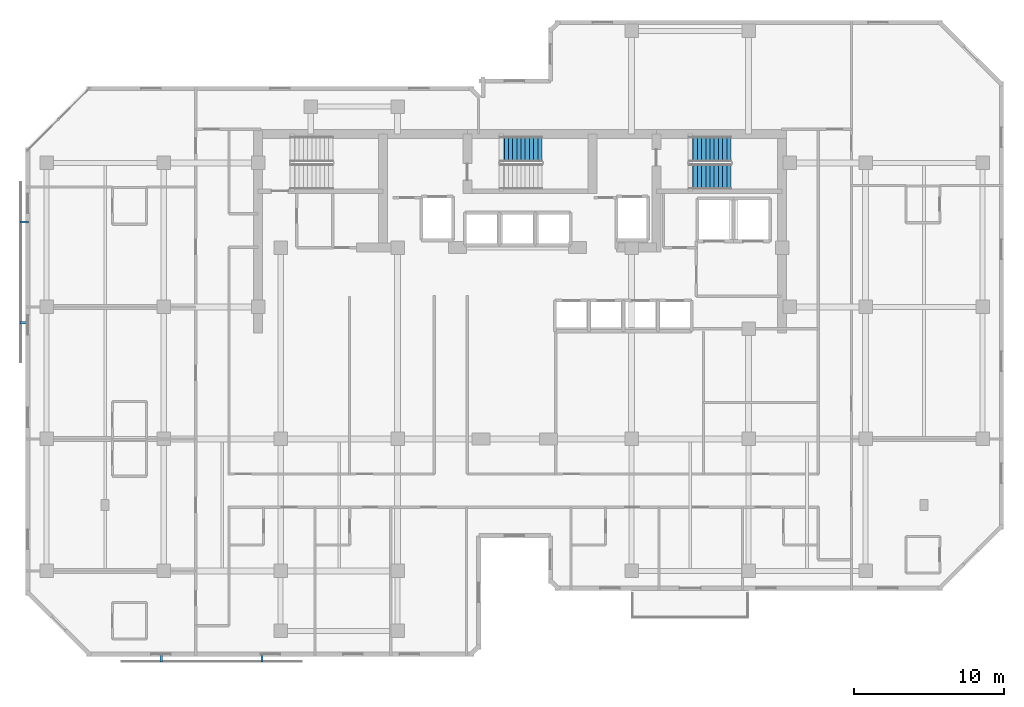
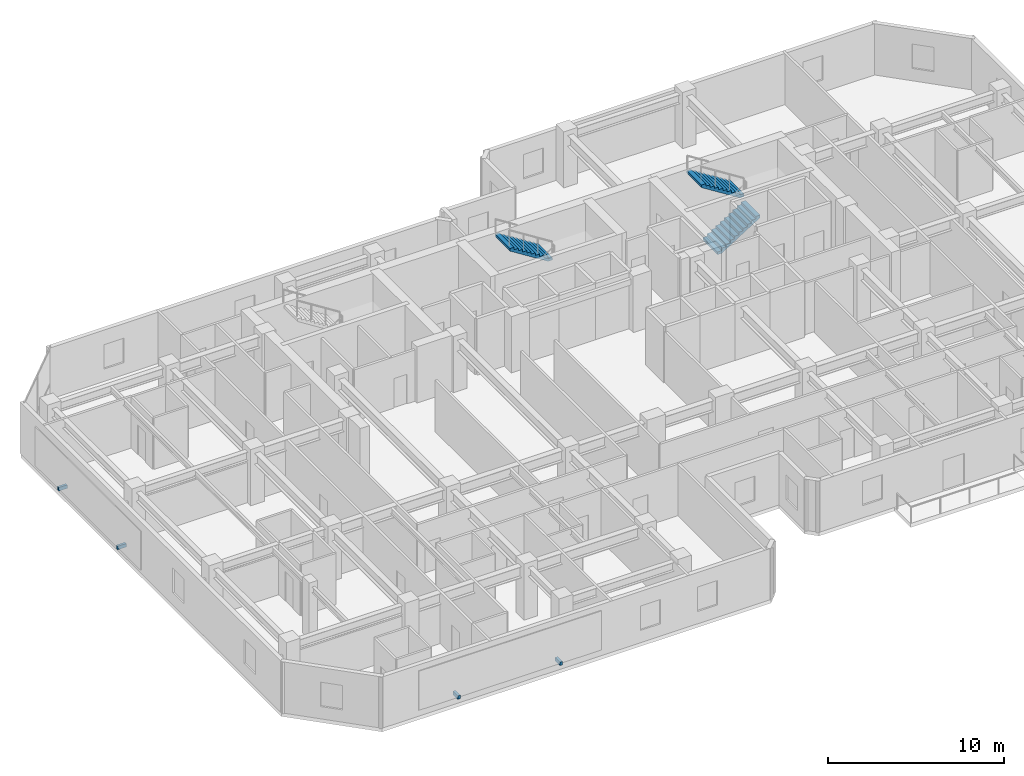
# One storey, part 9 of 11: 4 discrete accessories, 3 stair flights, 2 elements without a shape of their own.
"""IFC4 building model written with IfcOpenShell, lengths in metres."""

from ifc_helpers import new_model, si_unit, direction, frame, origin, origin_2d, place, context, subcontext, project, spatial, polyline, rectangle, outline, extrude, material, type_object, element, aggregate, save


model = new_model("IFC4")

# Units and contexts
model_context = context("Model", 3, precision=1e-05, world=origin(), true_north=direction((0.0, 1.0)))
body_context = subcontext(model_context, "Body", "Model", "MODEL_VIEW")
ifc_project = project(units=[si_unit("LENGTHUNIT", "METRE"), si_unit("AREAUNIT", "SQUARE_METRE"), si_unit("VOLUMEUNIT", "CUBIC_METRE"), si_unit("PLANEANGLEUNIT", "RADIAN"), si_unit("MASSUNIT", "GRAM", prefix="KILO")], contexts=[model_context])

# Site, building, storey
site_placement = place(None, origin())
site = spatial("IfcSite", under=ifc_project, at=site_placement, CompositionType="ELEMENT")
building_placement = place(site_placement, origin())
building = spatial("IfcBuilding", under=site, at=building_placement, Name="Kestravale Grand Hotel", CompositionType="ELEMENT")
storey_placement = place(building_placement, frame((0.0, 0.0, 228.0)))
storey = spatial("IfcBuildingStorey", under=building, at=storey_placement, Name="L57", CompositionType="ELEMENT", Elevation=228.0)

# Stair, stair flight
ifc_material_1 = material(Name="Concrete f'c 45 MPa", Category="concrete")
stair_type = type_object("IfcStairType", Name="ST-CORE-390", PredefinedType="HALF_TURN_STAIR", material=ifc_material_1)
stair_1_placement = place(storey_placement, origin())
stair_1 = element("IfcStair", 1, at=stair_1_placement, inside=storey, type_object=stair_type, Name="L57 ST-2", PredefinedType="HALF_TURN_STAIR")
ifc_material_2 = material(Name="Concrete f'c 45 MPa", Category="concrete")
stair_flight_type = type_object("IfcStairFlightType", Name="STF-CORE-390", PredefinedType="STRAIGHT", material=ifc_material_2)
stair_flight_1_placement = place(storey_placement, frame((40.830078125, 39.320068359375, 1.949951171875), z_axis=(0.0, 0.0, 1.0), x_axis=(-1.0, 0.0, 0.0)))
stair_flight_1 = element("IfcStairFlight", 2, at=stair_flight_1_placement, type_object=stair_flight_type, Name="ST-2 flight 2", NumberOfRisers=11, NumberOfTreads=10, PredefinedType="STRAIGHT", RiserHeight=0.177272727, TreadLength=0.28, context=body_context, shape_type="SweptSolid", body=[
    extrude(outline(polyline([(0.0, 0.0), (0.0, 0.17724609375), (0.280029296875, 0.17724609375), (0.280029296875, 0.3544921875), (0.56005859375, 0.3544921875), (0.56005859375, 0.53173828125), (0.840087890625, 0.53173828125), (0.840087890625, 0.708984375), (1.1201171875, 0.708984375), (1.1201171875, 0.886474609375), (1.39990234375, 0.886474609375), (1.39990234375, 1.063720703125), (1.679931640625, 1.063720703125), (1.679931640625, 1.240966796875), (1.9599609375, 1.240966796875), (1.9599609375, 1.418212890625), (2.239990234375, 1.418212890625), (2.239990234375, 1.595458984375), (2.52001953125, 1.595458984375), (2.52001953125, 1.772705078125), (2.800048828125, 1.772705078125), (2.800048828125, 1.949951171875), (2.800048828125, 1.59521484375), (0.2802734375, 0.0), (0.0, 0.0)])), frame((0.0, 0.83984375, 0.0), z_axis=(0.0, -1.0, 0.0), x_axis=(1.0, 0.0, 0.0)), (0.0, 0.0, 1.0), 1.679931640625),
])
aggregate(stair_1, [stair_flight_1])

# Stair, stair flights
stair_2_placement = place(storey_placement, origin())
stair_2 = element("IfcStair", 3, at=stair_2_placement, inside=storey, type_object=stair_type, Name="L57 ST-3", PredefinedType="HALF_TURN_STAIR")
stair_flight_2_placement = place(storey_placement, frame((50.6298828125, 37.489990234375, 0.0), z_axis=(0.0, 0.0, 1.0), x_axis=(1.0, 0.0, 0.0)))
stair_flight_2 = element("IfcStairFlight", 4, at=stair_flight_2_placement, type_object=stair_flight_type, Name="ST-3 flight 1", NumberOfRisers=11, NumberOfTreads=10, PredefinedType="STRAIGHT", RiserHeight=0.177272727, TreadLength=0.28, context=body_context, shape_type="SweptSolid", body=[
    extrude(outline(polyline([(0.0, 0.0), (0.0, 0.17724609375), (0.280029296875, 0.17724609375), (0.280029296875, 0.3544921875), (0.56005859375, 0.3544921875), (0.56005859375, 0.53173828125), (0.840087890625, 0.53173828125), (0.840087890625, 0.708984375), (1.1201171875, 0.708984375), (1.1201171875, 0.886474609375), (1.39990234375, 0.886474609375), (1.39990234375, 1.063720703125), (1.679931640625, 1.063720703125), (1.679931640625, 1.240966796875), (1.9599609375, 1.240966796875), (1.9599609375, 1.418212890625), (2.239990234375, 1.418212890625), (2.239990234375, 1.595458984375), (2.52001953125, 1.595458984375), (2.52001953125, 1.772705078125), (2.800048828125, 1.772705078125), (2.800048828125, 1.949951171875), (2.800048828125, 1.59521484375), (0.2802734375, 0.0), (0.0, 0.0)])), frame((0.0, 0.83984375, 0.0), z_axis=(0.0, -1.0, 0.0), x_axis=(1.0, 0.0, 0.0)), (0.0, 0.0, 1.0), 1.679931640625),
])
stair_flight_3_placement = place(storey_placement, frame((53.429931640625, 39.320068359375, 1.949951171875), z_axis=(0.0, 0.0, 1.0), x_axis=(-1.0, 0.0, 0.0)))
stair_flight_3 = element("IfcStairFlight", 5, at=stair_flight_3_placement, type_object=stair_flight_type, Name="ST-3 flight 2", NumberOfRisers=11, NumberOfTreads=10, PredefinedType="STRAIGHT", RiserHeight=0.177272727, TreadLength=0.28, context=body_context, shape_type="SweptSolid", body=[
    extrude(outline(polyline([(0.0, 0.0), (0.0, 0.17724609375), (0.280029296875, 0.17724609375), (0.280029296875, 0.3544921875), (0.56005859375, 0.3544921875), (0.56005859375, 0.53173828125), (0.840087890625, 0.53173828125), (0.840087890625, 0.708984375), (1.1201171875, 0.708984375), (1.1201171875, 0.886474609375), (1.39990234375, 0.886474609375), (1.39990234375, 1.063720703125), (1.679931640625, 1.063720703125), (1.679931640625, 1.240966796875), (1.9599609375, 1.240966796875), (1.9599609375, 1.418212890625), (2.239990234375, 1.418212890625), (2.239990234375, 1.595458984375), (2.52001953125, 1.595458984375), (2.52001953125, 1.772705078125), (2.800048828125, 1.772705078125), (2.800048828125, 1.949951171875), (2.800048828125, 1.59521484375), (0.2802734375, 0.0), (0.0, 0.0)])), frame((0.0, 0.83984375, 0.0), z_axis=(0.0, -1.0, 0.0), x_axis=(1.0, 0.0, 0.0)), (0.0, 0.0, 1.0), 1.679931640625),
])
aggregate(stair_2, [stair_flight_2, stair_flight_3])

# Discrete accessories
ifc_material_3 = material(Name="Steel ASTM A572 Grade 50 hot-dip galvanised bracket", Category="steel")
discrete_accessory_type = type_object("IfcDiscreteAccessoryType", Name="ACC-BRK-STL", PredefinedType="BRACKET", material=ifc_material_3)
for number, where, z_axis, x_axis, name in (
    (6, (15.43994140625, 5.405029296875, 0.56005859375), (0.0, 0.0, 1.0), (1.0, 0.0, 0.0), "L57 solar screen standoff bracket 1"),
    (7, (22.159912109375, 5.405029296875, 0.56005859375), (0.0, 0.0, 1.0), (1.0, 0.0, 0.0), "L57 solar screen standoff bracket 2"),
    (8, (6.304931640625, 34.4599609375, 0.56005859375), (0.0, 0.0, 1.0), (0.0, -1.0, 0.0), "L57 solar screen standoff bracket 1"),
    (9, (6.304931640625, 27.739990234375, 0.56005859375), (0.0, 0.0, 1.0), (0.0, -1.0, 0.0), "L57 solar screen standoff bracket 2"),
):
    element("IfcDiscreteAccessory", number, at=place(storey_placement, frame(where, z_axis=z_axis, x_axis=x_axis)), inside=storey, type_object=discrete_accessory_type, Name=name, PredefinedType="BRACKET", context=body_context, shape_type="SweptSolid", body=[
        extrude(rectangle(XDim=0.159912109375, YDim=0.56005859375, at=origin_2d()), origin(), (0.0, 0.0, 1.0), 0.239990234375),
    ])

save(model, "model.ifc")
